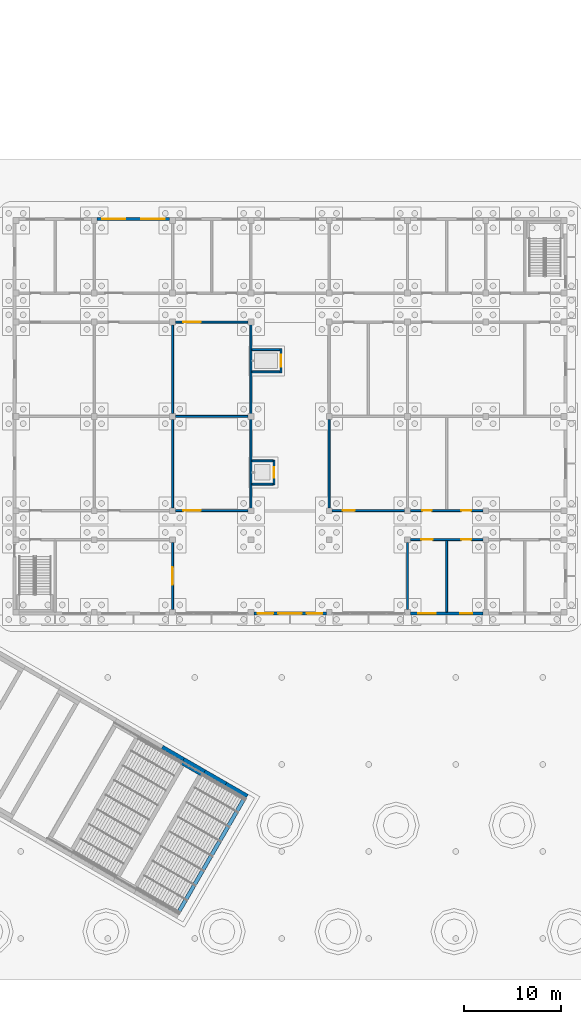
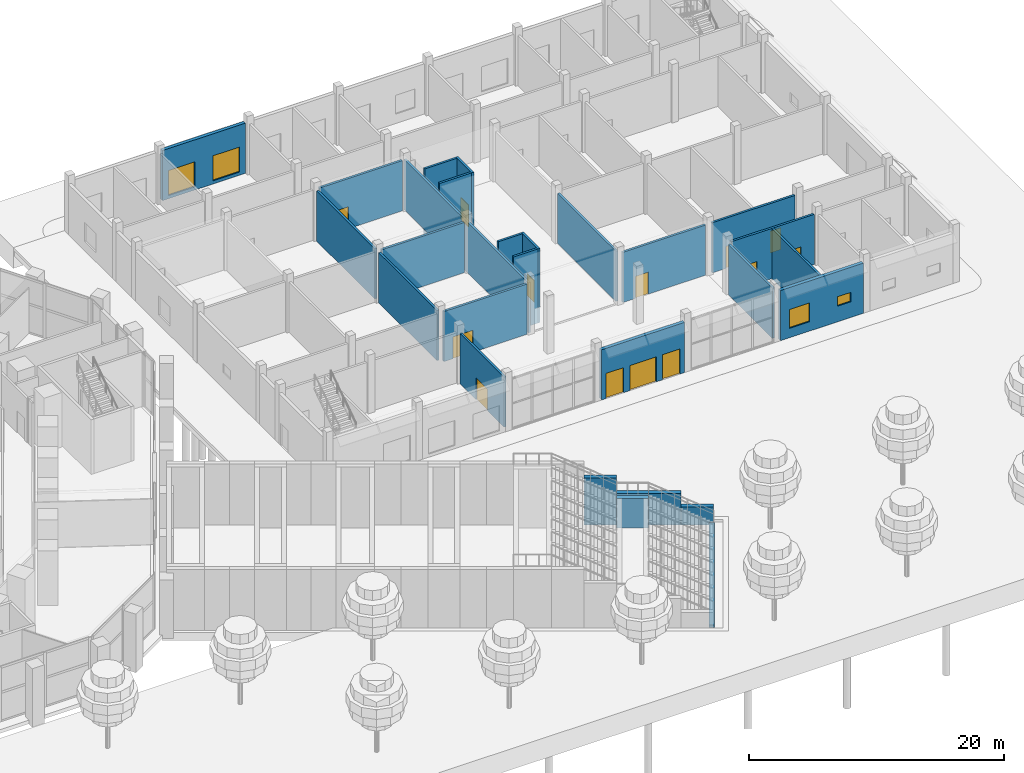
# One storey, part 26 of 44: 28 walls, 11 doors, 6 windows, 17 openings.
"""IFC4 building model written with IfcOpenShell, lengths in metres."""

from ifc_helpers import new_model, si_unit, direction, frame, frame_2d, origin, place, context, subcontext, project, spatial, rectangle, extrude, material, layer, layer_set, type_object, element, fill, save


model = new_model("IFC4")

# Units and contexts
model_context = context("Model", 3, precision=1e-05, world=origin(), true_north=direction((0.0, 1.0)))
body_context = subcontext(model_context, "Body", "Model", "MODEL_VIEW")
ifc_project = project(units=[si_unit("LENGTHUNIT", "METRE"), si_unit("AREAUNIT", "SQUARE_METRE"), si_unit("VOLUMEUNIT", "CUBIC_METRE"), si_unit("PLANEANGLEUNIT", "RADIAN"), si_unit("MASSUNIT", "GRAM", prefix="KILO")], contexts=[model_context])

# Site, building, storey
site_placement = place(None, origin())
site = spatial("IfcSite", under=ifc_project, at=site_placement, CompositionType="ELEMENT")
building_placement = place(site_placement, origin())
building = spatial("IfcBuilding", under=site, at=building_placement, Name="Frailejon Research Tower", CompositionType="ELEMENT")
storey_placement = place(building_placement, origin())
storey = spatial("IfcBuildingStorey", under=building, at=storey_placement, Name="L00", CompositionType="ELEMENT", Elevation=0.0)

# Wall, openings, door, windows
ifc_material_1 = material(Name="Insulated masonry cavity wall", Category="masonry")
ifc_layer_1 = layer(ifc_material_1, 0.300048828125)
ifc_layer_set_1 = layer_set([ifc_layer_1], Name="HC facade wall 300")
wall_type_1 = type_object("IfcWallType", Name="HC facade wall 300", PredefinedType="SOLIDWALL", material=ifc_layer_set_1)
wall_1_placement = place(storey_placement, frame((69.10009765625, -20.39990234375, 0.0), z_axis=(0.0, 0.0, 1.0), x_axis=(1.0, 0.0, 0.0)))
wall_1 = element("IfcWall", 1, at=wall_1_placement, inside=storey, type_object=wall_type_1, Name="HC facade wall", PredefinedType="SOLIDWALL", context=body_context, shape_type="SweptSolid", body=[
    extrude(rectangle(XDim=7.5, YDim=0.300048828125, at=frame_2d((3.75, 0.0))), origin(), (0.0, 0.0, 1.0), 4.800048828125),
])
opening_1_placement = place(wall_1_placement, frame((2.550048828125, 0.0, 0.0)))
opening_1 = element("IfcOpeningElement", 2, at=opening_1_placement, cuts=wall_1, Name="Opening HD036", PredefinedType="OPENING", context=body_context, shape_type="SweptSolid", body=[
    extrude(rectangle(XDim=2.39990234375, YDim=2.39990234375, at=frame_2d((1.199951171875, 1.199951171875))), frame((0.0, 0.159912109375, 0.0), z_axis=(0.0, -1.0, 0.0), x_axis=(1.0, 0.0, 0.0)), (0.0, 0.0, 1.0), 0.320068359375),
])
opening_2_placement = place(wall_1_placement, frame((0.39990234375, 0.0, 0.0)))
opening_2 = element("IfcOpeningElement", 3, at=opening_2_placement, cuts=wall_1, Name="Opening HW001", PredefinedType="OPENING", context=body_context, shape_type="SweptSolid", body=[
    extrude(rectangle(XDim=1.60009765625, YDim=2.39990234375, at=frame_2d((0.800048828125, 1.199951171875))), frame((0.0, 0.159912109375, 0.0), z_axis=(0.0, -1.0, 0.0), x_axis=(1.0, 0.0, 0.0)), (0.0, 0.0, 1.0), 0.320068359375),
])
opening_3_placement = place(wall_1_placement, frame((5.5, 0.0, 0.0)))
opening_3 = element("IfcOpeningElement", 4, at=opening_3_placement, cuts=wall_1, Name="Opening HW002", PredefinedType="OPENING", context=body_context, shape_type="SweptSolid", body=[
    extrude(rectangle(XDim=1.60009765625, YDim=2.39990234375, at=frame_2d((0.800048828125, 1.199951171875))), frame((0.0, 0.159912109375, 0.0), z_axis=(0.0, -1.0, 0.0), x_axis=(1.0, 0.0, 0.0)), (0.0, 0.0, 1.0), 0.320068359375),
])
ifc_material_2 = material(Name="Aluminium framed glazed door leaf", Category="aluminium")
door_type_1 = type_object("IfcDoorType", Name="HC entrance double door 2400", OperationType="DOUBLE_DOOR_SINGLE_SWING", PredefinedType="DOOR", material=ifc_material_2)
door_1_placement = place(opening_1_placement, origin())
door_1 = element("IfcDoor", 5, at=door_1_placement, inside=storey, type_object=door_type_1, Name="Door HD036", OperationType="DOUBLE_DOOR_SINGLE_SWING", OverallHeight=2.39990234375, OverallWidth=2.39990234375, PredefinedType="DOOR", context=body_context, shape_type="SweptSolid", body=[
    extrude(rectangle(XDim=2.39990234375, YDim=2.39990234375, at=frame_2d((1.199951171875, 1.199951171875))), frame((0.0, 0.02490234375, 0.0), z_axis=(0.0, -1.0, 0.0), x_axis=(1.0, 0.0, 0.0)), (0.0, 0.0, 1.0), 0.050048828125),
])
fill(opening_1, door_1)
ifc_material_3 = material(Name="Aluminium framed double glazing", Category="aluminium")
window_type_1 = type_object("IfcWindowType", Name="HC sidelight 1600x2400", PartitioningType="SINGLE_PANEL", PredefinedType="WINDOW", material=ifc_material_3)
window_1_placement = place(opening_2_placement, origin())
window_1 = element("IfcWindow", 6, at=window_1_placement, inside=storey, type_object=window_type_1, Name="Window HW001 (HCW4)", OverallHeight=2.39990234375, OverallWidth=1.60009765625, PartitioningType="SINGLE_PANEL", PredefinedType="WINDOW", context=body_context, shape_type="SweptSolid", body=[
    extrude(rectangle(XDim=1.60009765625, YDim=2.39990234375, at=frame_2d((0.800048828125, 1.199951171875))), frame((0.0, 0.030029296875, 0.0), z_axis=(0.0, -1.0, 0.0), x_axis=(1.0, 0.0, 0.0)), (0.0, 0.0, 1.0), 0.06005859375),
])
fill(opening_2, window_1)
window_2_placement = place(opening_3_placement, origin())
window_2 = element("IfcWindow", 7, at=window_2_placement, inside=storey, type_object=window_type_1, Name="Window HW002 (HCW4)", OverallHeight=2.39990234375, OverallWidth=1.60009765625, PartitioningType="SINGLE_PANEL", PredefinedType="WINDOW", context=body_context, shape_type="SweptSolid", body=[
    extrude(rectangle(XDim=1.60009765625, YDim=2.39990234375, at=frame_2d((0.800048828125, 1.199951171875))), frame((0.0, 0.030029296875, 0.0), z_axis=(0.0, -1.0, 0.0), x_axis=(1.0, 0.0, 0.0)), (0.0, 0.0, 1.0), 0.06005859375),
])
fill(opening_3, window_2)

# Wall, openings, windows
wall_2_placement = place(storey_placement, frame((85.300048828125, -20.39990234375, 0.0), z_axis=(0.0, 0.0, 1.0), x_axis=(1.0, 0.0, 0.0)))
wall_2 = element("IfcWall", 8, at=wall_2_placement, inside=storey, type_object=wall_type_1, Name="HC facade wall", PredefinedType="SOLIDWALL", context=body_context, shape_type="SweptSolid", body=[
    extrude(rectangle(XDim=7.5, YDim=0.300048828125, at=frame_2d((3.75, 0.0))), origin(), (0.0, 0.0, 1.0), 4.800048828125),
])
opening_4_placement = place(wall_2_placement, frame((0.824951171875, 0.0, 0.89990234375)))
opening_4 = element("IfcOpeningElement", 9, at=opening_4_placement, cuts=wall_2, Name="Opening HW006", PredefinedType="OPENING", context=body_context, shape_type="SweptSolid", body=[
    extrude(rectangle(XDim=1.800048828125, YDim=1.800048828125, at=frame_2d((0.89990234375, 0.89990234375))), frame((0.0, 0.159912109375, 0.0), z_axis=(0.0, -1.0, 0.0), x_axis=(1.0, 0.0, 0.0)), (0.0, 0.0, 1.0), 0.320068359375),
])
opening_5_placement = place(wall_2_placement, frame((5.175048828125, 0.0, 1.5)))
opening_5 = element("IfcOpeningElement", 10, at=opening_5_placement, cuts=wall_2, Name="Opening HW007", PredefinedType="OPENING", context=body_context, shape_type="SweptSolid", body=[
    extrude(rectangle(XDim=1.199951171875, YDim=0.89990234375, at=frame_2d((0.60009765625, 0.449951171875))), frame((0.0, 0.159912109375, 0.0), z_axis=(0.0, -1.0, 0.0), x_axis=(1.0, 0.0, 0.0)), (0.0, 0.0, 1.0), 0.320068359375),
])
ifc_material_4 = material(Name="Aluminium framed double glazing", Category="aluminium")
window_type_2 = type_object("IfcWindowType", Name="HC window 1200x900", PartitioningType="SINGLE_PANEL", PredefinedType="WINDOW", material=ifc_material_4)
window_3_placement = place(opening_5_placement, origin())
window_3 = element("IfcWindow", 11, at=window_3_placement, inside=storey, type_object=window_type_2, Name="Window HW007 (HCW2)", OverallHeight=0.89990234375, OverallWidth=1.199951171875, PartitioningType="SINGLE_PANEL", PredefinedType="WINDOW", context=body_context, shape_type="SweptSolid", body=[
    extrude(rectangle(XDim=1.199951171875, YDim=0.89990234375, at=frame_2d((0.60009765625, 0.449951171875))), frame((0.0, 0.030029296875, 0.0), z_axis=(0.0, -1.0, 0.0), x_axis=(1.0, 0.0, 0.0)), (0.0, 0.0, 1.0), 0.06005859375),
])
fill(opening_5, window_3)
ifc_material_5 = material(Name="Aluminium framed double glazing", Category="aluminium")
window_type_3 = type_object("IfcWindowType", Name="HC window 1800x1800", PartitioningType="SINGLE_PANEL", PredefinedType="WINDOW", material=ifc_material_5)
window_4_placement = place(opening_4_placement, origin())
window_4 = element("IfcWindow", 12, at=window_4_placement, inside=storey, type_object=window_type_3, Name="Window HW006 (HCW1)", OverallHeight=1.800048828125, OverallWidth=1.800048828125, PartitioningType="SINGLE_PANEL", PredefinedType="WINDOW", context=body_context, shape_type="SweptSolid", body=[
    extrude(rectangle(XDim=1.800048828125, YDim=1.800048828125, at=frame_2d((0.89990234375, 0.89990234375))), frame((0.0, 0.030029296875, 0.0), z_axis=(0.0, -1.0, 0.0), x_axis=(1.0, 0.0, 0.0)), (0.0, 0.0, 1.0), 0.06005859375),
])
fill(opening_4, window_4)

wall_3_placement = place(storey_placement, frame((52.89990234375, 20.39990234375, 0.0), z_axis=(0.0, 0.0, 1.0), x_axis=(1.0, 0.0, 0.0)))
wall_3 = element("IfcWall", 13, at=wall_3_placement, inside=storey, type_object=wall_type_1, Name="HC facade wall", PredefinedType="SOLIDWALL", context=body_context, shape_type="SweptSolid", body=[
    extrude(rectangle(XDim=7.5, YDim=0.300048828125, at=frame_2d((3.75, 0.0))), origin(), (0.0, 0.0, 1.0), 4.800048828125),
])
opening_6_placement = place(wall_3_placement, frame((0.52490234375, 0.0, 0.300048828125)))
opening_6 = element("IfcOpeningElement", 14, at=opening_6_placement, cuts=wall_3, Name="Opening HW017", PredefinedType="OPENING", context=body_context, shape_type="SweptSolid", body=[
    extrude(rectangle(XDim=2.39990234375, YDim=2.39990234375, at=frame_2d((1.199951171875, 1.199951171875))), frame((0.0, 0.159912109375, 0.0), z_axis=(0.0, -1.0, 0.0), x_axis=(1.0, 0.0, 0.0)), (0.0, 0.0, 1.0), 0.320068359375),
])
opening_7_placement = place(wall_3_placement, frame((4.574951171875, 0.0, 0.300048828125)))
opening_7 = element("IfcOpeningElement", 15, at=opening_7_placement, cuts=wall_3, Name="Opening HW018", PredefinedType="OPENING", context=body_context, shape_type="SweptSolid", body=[
    extrude(rectangle(XDim=2.39990234375, YDim=2.39990234375, at=frame_2d((1.199951171875, 1.199951171875))), frame((0.0, 0.159912109375, 0.0), z_axis=(0.0, -1.0, 0.0), x_axis=(1.0, 0.0, 0.0)), (0.0, 0.0, 1.0), 0.320068359375),
])
ifc_material_6 = material(Name="Aluminium framed double glazing", Category="aluminium")
window_type_4 = type_object("IfcWindowType", Name="HC window 2400x2400", PartitioningType="DOUBLE_PANEL_VERTICAL", PredefinedType="WINDOW", material=ifc_material_6)
window_5_placement = place(opening_6_placement, origin())
window_5 = element("IfcWindow", 16, at=window_5_placement, inside=storey, type_object=window_type_4, Name="Window HW017 (HCW3)", OverallHeight=2.39990234375, OverallWidth=2.39990234375, PartitioningType="DOUBLE_PANEL_VERTICAL", PredefinedType="WINDOW", context=body_context, shape_type="SweptSolid", body=[
    extrude(rectangle(XDim=2.39990234375, YDim=2.39990234375, at=frame_2d((1.199951171875, 1.199951171875))), frame((0.0, 0.030029296875, 0.0), z_axis=(0.0, -1.0, 0.0), x_axis=(1.0, 0.0, 0.0)), (0.0, 0.0, 1.0), 0.06005859375),
])
fill(opening_6, window_5)
window_6_placement = place(opening_7_placement, origin())
window_6 = element("IfcWindow", 17, at=window_6_placement, inside=storey, type_object=window_type_4, Name="Window HW018 (HCW3)", OverallHeight=2.39990234375, OverallWidth=2.39990234375, PartitioningType="DOUBLE_PANEL_VERTICAL", PredefinedType="WINDOW", context=body_context, shape_type="SweptSolid", body=[
    extrude(rectangle(XDim=2.39990234375, YDim=2.39990234375, at=frame_2d((1.199951171875, 1.199951171875))), frame((0.0, 0.030029296875, 0.0), z_axis=(0.0, -1.0, 0.0), x_axis=(1.0, 0.0, 0.0)), (0.0, 0.0, 1.0), 0.06005859375),
])
fill(opening_7, window_6)

# Walls
ifc_material_7 = material(Name="Concrete C35/45", Category="concrete")
ifc_layer_2 = layer(ifc_material_7, 0.199951171875)
ifc_layer_set_2 = layer_set([ifc_layer_2], Name="HC fire wall 200")
wall_type_2 = type_object("IfcWallType", Name="HC fire wall 200", PredefinedType="SOLIDWALL", material=ifc_layer_set_2)
for number, where, z_axis, x_axis, name in (
    (18, (68.89990234375, -7.0, -1.5), (0.0, 0.0, 1.0), (1.0, 0.0, 0.0), "HC lift shaft wall"),
    (19, (68.89990234375, -4.60009765625, -1.5), (0.0, 0.0, 1.0), (1.0, 0.0, 0.0), "HC lift shaft wall"),
):
    element("IfcWall", number, at=place(storey_placement, frame(where, z_axis=z_axis, x_axis=x_axis)), inside=storey, type_object=wall_type_2, Name=name, PredefinedType="SOLIDWALL", context=body_context, shape_type="SweptSolid", body=[
        extrude(rectangle(XDim=2.2001953125, YDim=0.199951171875, at=frame_2d((1.10009765625, 0.0))), origin(), (0.0, 0.0, 1.0), 7.10009765625),
    ])

# Wall, opening, door
wall_4_placement = place(storey_placement, frame((71.199951171875, -7.10009765625, -1.5), z_axis=(0.0, 0.0, 1.0), x_axis=(0.0, 1.0, 0.0)))
wall_4 = element("IfcWall", 20, at=wall_4_placement, inside=storey, type_object=wall_type_2, Name="HC lift shaft wall", PredefinedType="SOLIDWALL", context=body_context, shape_type="SweptSolid", body=[
    extrude(rectangle(XDim=2.60009765625, YDim=0.199951171875, at=frame_2d((1.300048828125, 0.0))), origin(), (0.0, 0.0, 1.0), 7.10009765625),
])
opening_8_placement = place(wall_4_placement, frame((0.75, 0.0, 1.5)))
opening_8 = element("IfcOpeningElement", 21, at=opening_8_placement, cuts=wall_4, Name="Opening HLD0P", PredefinedType="OPENING", context=body_context, shape_type="SweptSolid", body=[
    extrude(rectangle(XDim=1.10009765625, YDim=2.10009765625, at=frame_2d((0.550048828125, 1.050048828125))), frame((0.0, 0.10986328125, 0.0), z_axis=(0.0, -1.0, 0.0), x_axis=(1.0, 0.0, 0.0)), (0.0, 0.0, 1.0), 0.219970703125),
])
ifc_material_8 = material(Name="Stainless steel sliding leaf", Category="steel")
door_type_2 = type_object("IfcDoorType", Name="HC lift landing door 1100", OperationType="SLIDING_TO_LEFT", PredefinedType="DOOR", material=ifc_material_8)
door_2_placement = place(opening_8_placement, origin())
door_2 = element("IfcDoor", 22, at=door_2_placement, inside=storey, type_object=door_type_2, Name="Lift landing door HLD0P", OperationType="SLIDING_TO_LEFT", OverallHeight=2.10009765625, OverallWidth=1.10009765625, PredefinedType="DOOR", context=body_context, shape_type="SweptSolid", body=[
    extrude(rectangle(XDim=1.10009765625, YDim=2.10009765625, at=frame_2d((0.550048828125, 1.050048828125))), frame((0.0, 0.02490234375, 0.0), z_axis=(0.0, -1.0, 0.0), x_axis=(1.0, 0.0, 0.0)), (0.0, 0.0, 1.0), 0.050048828125),
])
fill(opening_8, door_2)

# Walls
for number, where, z_axis, x_axis, name in (
    (23, (68.89990234375, 4.60009765625, -1.5), (0.0, 0.0, 1.0), (1.0, 0.0, 0.0), "HC lift shaft wall"),
    (24, (68.89990234375, 6.89990234375, -1.5), (0.0, 0.0, 1.0), (1.0, 0.0, 0.0), "HC lift shaft wall"),
):
    element("IfcWall", number, at=place(storey_placement, frame(where, z_axis=z_axis, x_axis=x_axis)), inside=storey, type_object=wall_type_2, Name=name, PredefinedType="SOLIDWALL", context=body_context, shape_type="SweptSolid", body=[
        extrude(rectangle(XDim=2.900146484375, YDim=0.199951171875, at=frame_2d((1.4501953125, 0.0))), origin(), (0.0, 0.0, 1.0), 7.10009765625),
    ])

# Wall, opening, door
wall_5_placement = place(storey_placement, frame((71.89990234375, 4.5, -1.5), z_axis=(0.0, 0.0, 1.0), x_axis=(0.0, 1.0, 0.0)))
wall_5 = element("IfcWall", 25, at=wall_5_placement, inside=storey, type_object=wall_type_2, Name="HC lift shaft wall", PredefinedType="SOLIDWALL", context=body_context, shape_type="SweptSolid", body=[
    extrude(rectangle(XDim=2.5, YDim=0.199951171875, at=frame_2d((1.25, 0.0))), origin(), (0.0, 0.0, 1.0), 7.10009765625),
])
opening_9_placement = place(wall_5_placement, frame((0.64990234375, 0.0, 1.5)))
opening_9 = element("IfcOpeningElement", 26, at=opening_9_placement, cuts=wall_5, Name="Opening HLD0B", PredefinedType="OPENING", context=body_context, shape_type="SweptSolid", body=[
    extrude(rectangle(XDim=1.199951171875, YDim=2.10009765625, at=frame_2d((0.60009765625, 1.050048828125))), frame((0.0, 0.10986328125, 0.0), z_axis=(0.0, -1.0, 0.0), x_axis=(1.0, 0.0, 0.0)), (0.0, 0.0, 1.0), 0.219970703125),
])
ifc_material_9 = material(Name="Stainless steel sliding leaf", Category="steel")
door_type_3 = type_object("IfcDoorType", Name="HC lift landing door 1200", OperationType="SLIDING_TO_LEFT", PredefinedType="DOOR", material=ifc_material_9)
door_3_placement = place(opening_9_placement, origin())
door_3 = element("IfcDoor", 27, at=door_3_placement, inside=storey, type_object=door_type_3, Name="Lift landing door HLD0B", OperationType="SLIDING_TO_LEFT", OverallHeight=2.10009765625, OverallWidth=1.199951171875, PredefinedType="DOOR", context=body_context, shape_type="SweptSolid", body=[
    extrude(rectangle(XDim=1.199951171875, YDim=2.10009765625, at=frame_2d((0.60009765625, 1.050048828125))), frame((0.0, 0.02490234375, 0.0), z_axis=(0.0, -1.0, 0.0), x_axis=(1.0, 0.0, 0.0)), (0.0, 0.0, 1.0), 0.050048828125),
])
fill(opening_9, door_3)

# Wall, openings, doors
ifc_material_10 = material(Name="Masonry blockwork partition", Category="masonry")
ifc_layer_3 = layer(ifc_material_10, 0.199951171875)
ifc_layer_set_3 = layer_set([ifc_layer_3], Name="HC partition 200")
wall_type_3 = type_object("IfcWallType", Name="HC partition 200", PredefinedType="PARTITIONING", material=ifc_layer_set_3)
wall_6_placement = place(storey_placement, frame((85.300048828125, -12.75, 0.0), z_axis=(0.0, 0.0, 1.0), x_axis=(1.0, 0.0, 0.0)))
wall_6 = element("IfcWall", 28, at=wall_6_placement, inside=storey, type_object=wall_type_3, Name="HC partition", PredefinedType="PARTITIONING", context=body_context, shape_type="SweptSolid", body=[
    extrude(rectangle(XDim=7.5, YDim=0.199951171875, at=frame_2d((3.75, 0.0))), origin(), (0.0, 0.0, 1.0), 4.800048828125),
])
opening_10_placement = place(wall_6_placement, frame((1.125, 0.0, 0.0)))
opening_10 = element("IfcOpeningElement", 29, at=opening_10_placement, cuts=wall_6, Name="Opening HD005", PredefinedType="OPENING", context=body_context, shape_type="SweptSolid", body=[
    extrude(rectangle(XDim=1.199951171875, YDim=2.10009765625, at=frame_2d((0.60009765625, 1.050048828125))), frame((0.0, 0.10986328125, 0.0), z_axis=(0.0, -1.0, 0.0), x_axis=(1.0, 0.0, 0.0)), (0.0, 0.0, 1.0), 0.219970703125),
])
opening_11_placement = place(wall_6_placement, frame((5.27490234375, 0.0, 0.0)))
opening_11 = element("IfcOpeningElement", 30, at=opening_11_placement, cuts=wall_6, Name="Opening HD006", PredefinedType="OPENING", context=body_context, shape_type="SweptSolid", body=[
    extrude(rectangle(XDim=1.0, YDim=2.10009765625, at=frame_2d((0.5, 1.050048828125))), frame((0.0, 0.10986328125, 0.0), z_axis=(0.0, -1.0, 0.0), x_axis=(1.0, 0.0, 0.0)), (0.0, 0.0, 1.0), 0.219970703125),
])
ifc_material_11 = material(Name="Timber veneered fire door leaf", Category="wood")
door_type_4 = type_object("IfcDoorType", Name="HC door 1000 left", OperationType="SINGLE_SWING_LEFT", PredefinedType="DOOR", material=ifc_material_11)
door_4_placement = place(opening_11_placement, origin())
door_4 = element("IfcDoor", 31, at=door_4_placement, inside=storey, type_object=door_type_4, Name="Door HD006", OperationType="SINGLE_SWING_LEFT", OverallHeight=2.10009765625, OverallWidth=1.0, PredefinedType="DOOR", context=body_context, shape_type="SweptSolid", body=[
    extrude(rectangle(XDim=1.0, YDim=2.10009765625, at=frame_2d((0.5, 1.050048828125))), frame((0.0, 0.02490234375, 0.0), z_axis=(0.0, -1.0, 0.0), x_axis=(1.0, 0.0, 0.0)), (0.0, 0.0, 1.0), 0.050048828125),
])
fill(opening_11, door_4)
ifc_material_12 = material(Name="Timber veneered fire door leaf", Category="wood")
door_type_5 = type_object("IfcDoorType", Name="HC door 1200 right", OperationType="SINGLE_SWING_RIGHT", PredefinedType="DOOR", material=ifc_material_12)
door_5_placement = place(opening_10_placement, origin())
door_5 = element("IfcDoor", 32, at=door_5_placement, inside=storey, type_object=door_type_5, Name="Door HD005", OperationType="SINGLE_SWING_RIGHT", OverallHeight=2.10009765625, OverallWidth=1.199951171875, PredefinedType="DOOR", context=body_context, shape_type="SweptSolid", body=[
    extrude(rectangle(XDim=1.199951171875, YDim=2.10009765625, at=frame_2d((0.60009765625, 1.050048828125))), frame((0.0, 0.02490234375, 0.0), z_axis=(0.0, -1.0, 0.0), x_axis=(1.0, 0.0, 0.0)), (0.0, 0.0, 1.0), 0.050048828125),
])
fill(opening_10, door_5)

# Wall, opening, door
wall_7_placement = place(storey_placement, frame((60.699951171875, -19.949951171875, 0.0), z_axis=(0.0, 0.0, 1.0), x_axis=(0.0, 1.0, 0.0)))
wall_7 = element("IfcWall", 33, at=wall_7_placement, inside=storey, type_object=wall_type_3, Name="HC partition", PredefinedType="PARTITIONING", context=body_context, shape_type="SweptSolid", body=[
    extrude(rectangle(XDim=6.89990234375, YDim=0.199951171875, at=frame_2d((3.449951171875, 0.0))), origin(), (0.0, 0.0, 1.0), 4.800048828125),
])
opening_12_placement = place(wall_7_placement, frame((2.550048828125, 0.0, 0.0)))
opening_12 = element("IfcOpeningElement", 34, at=opening_12_placement, cuts=wall_7, Name="Opening HD004", PredefinedType="OPENING", context=body_context, shape_type="SweptSolid", body=[
    extrude(rectangle(XDim=1.800048828125, YDim=2.10009765625, at=frame_2d((0.89990234375, 1.050048828125))), frame((0.0, 0.10986328125, 0.0), z_axis=(0.0, -1.0, 0.0), x_axis=(1.0, 0.0, 0.0)), (0.0, 0.0, 1.0), 0.219970703125),
])
ifc_material_13 = material(Name="Timber veneered fire door leaf", Category="wood")
door_type_6 = type_object("IfcDoorType", Name="HC double door 1800", OperationType="DOUBLE_DOOR_SINGLE_SWING", PredefinedType="DOOR", material=ifc_material_13)
door_6_placement = place(opening_12_placement, origin())
door_6 = element("IfcDoor", 35, at=door_6_placement, inside=storey, type_object=door_type_6, Name="Door HD004", OperationType="DOUBLE_DOOR_SINGLE_SWING", OverallHeight=2.10009765625, OverallWidth=1.800048828125, PredefinedType="DOOR", context=body_context, shape_type="SweptSolid", body=[
    extrude(rectangle(XDim=1.800048828125, YDim=2.10009765625, at=frame_2d((0.89990234375, 1.050048828125))), frame((0.0, 0.02490234375, 0.0), z_axis=(0.0, -1.0, 0.0), x_axis=(1.0, 0.0, 0.0)), (0.0, 0.0, 1.0), 0.050048828125),
])
fill(opening_12, door_6)

# Walls
for number, where, z_axis, x_axis, name in (
    (36, (60.699951171875, -9.449951171875, 0.0), (0.0, 0.0, 1.0), (0.0, 1.0, 0.0), "HC partition"),
    (37, (60.699951171875, 0.300048828125, 0.0), (0.0, 0.0, 1.0), (0.0, 1.0, 0.0), "HC partition"),
):
    element("IfcWall", number, at=place(storey_placement, frame(where, z_axis=z_axis, x_axis=x_axis)), inside=storey, type_object=wall_type_3, Name=name, PredefinedType="PARTITIONING", context=body_context, shape_type="SweptSolid", body=[
        extrude(rectangle(XDim=9.14990234375, YDim=0.199951171875, at=frame_2d((4.574951171875, 0.0))), origin(), (0.0, 0.0, 1.0), 4.800048828125),
    ])

# Wall, opening, door
wall_8_placement = place(storey_placement, frame((61.0, -9.75, 0.0), z_axis=(0.0, 0.0, 1.0), x_axis=(1.0, 0.0, 0.0)))
wall_8 = element("IfcWall", 38, at=wall_8_placement, inside=storey, type_object=wall_type_3, Name="HC partition", PredefinedType="PARTITIONING", context=body_context, shape_type="SweptSolid", body=[
    extrude(rectangle(XDim=7.5, YDim=0.199951171875, at=frame_2d((3.75, 0.0))), origin(), (0.0, 0.0, 1.0), 4.800048828125),
])
opening_13_placement = place(wall_8_placement, frame((0.824951171875, 0.0, 0.0)))
opening_13 = element("IfcOpeningElement", 39, at=opening_13_placement, cuts=wall_8, Name="Opening HD011", PredefinedType="OPENING", context=body_context, shape_type="SweptSolid", body=[
    extrude(rectangle(XDim=1.800048828125, YDim=2.10009765625, at=frame_2d((0.89990234375, 1.050048828125))), frame((0.0, 0.10986328125, 0.0), z_axis=(0.0, -1.0, 0.0), x_axis=(1.0, 0.0, 0.0)), (0.0, 0.0, 1.0), 0.219970703125),
])
door_7_placement = place(opening_13_placement, origin())
door_7 = element("IfcDoor", 40, at=door_7_placement, inside=storey, type_object=door_type_6, Name="Door HD011", OperationType="DOUBLE_DOOR_SINGLE_SWING", OverallHeight=2.10009765625, OverallWidth=1.800048828125, PredefinedType="DOOR", context=body_context, shape_type="SweptSolid", body=[
    extrude(rectangle(XDim=1.800048828125, YDim=2.10009765625, at=frame_2d((0.89990234375, 1.050048828125))), frame((0.0, 0.02490234375, 0.0), z_axis=(0.0, -1.0, 0.0), x_axis=(1.0, 0.0, 0.0)), (0.0, 0.0, 1.0), 0.050048828125),
])
fill(opening_13, door_7)

wall_9_placement = place(storey_placement, frame((77.199951171875, -9.75, 0.0), z_axis=(0.0, 0.0, 1.0), x_axis=(1.0, 0.0, 0.0)))
wall_9 = element("IfcWall", 41, at=wall_9_placement, inside=storey, type_object=wall_type_3, Name="HC partition", PredefinedType="PARTITIONING", context=body_context, shape_type="SweptSolid", body=[
    extrude(rectangle(XDim=7.5, YDim=0.199951171875, at=frame_2d((3.75, 0.0))), origin(), (0.0, 0.0, 1.0), 4.800048828125),
])
opening_14_placement = place(wall_9_placement, frame((1.125, 0.0, 0.0)))
opening_14 = element("IfcOpeningElement", 42, at=opening_14_placement, cuts=wall_9, Name="Opening HD012", PredefinedType="OPENING", context=body_context, shape_type="SweptSolid", body=[
    extrude(rectangle(XDim=1.199951171875, YDim=2.10009765625, at=frame_2d((0.60009765625, 1.050048828125))), frame((0.0, 0.10986328125, 0.0), z_axis=(0.0, -1.0, 0.0), x_axis=(1.0, 0.0, 0.0)), (0.0, 0.0, 1.0), 0.219970703125),
])
ifc_material_14 = material(Name="Timber veneered fire door leaf", Category="wood")
door_type_7 = type_object("IfcDoorType", Name="HC door 1200 left", OperationType="SINGLE_SWING_LEFT", PredefinedType="DOOR", material=ifc_material_14)
door_8_placement = place(opening_14_placement, origin())
door_8 = element("IfcDoor", 43, at=door_8_placement, inside=storey, type_object=door_type_7, Name="Door HD012", OperationType="SINGLE_SWING_LEFT", OverallHeight=2.10009765625, OverallWidth=1.199951171875, PredefinedType="DOOR", context=body_context, shape_type="SweptSolid", body=[
    extrude(rectangle(XDim=1.199951171875, YDim=2.10009765625, at=frame_2d((0.60009765625, 1.050048828125))), frame((0.0, 0.02490234375, 0.0), z_axis=(0.0, -1.0, 0.0), x_axis=(1.0, 0.0, 0.0)), (0.0, 0.0, 1.0), 0.050048828125),
])
fill(opening_14, door_8)

# Wall, openings, doors
wall_10_placement = place(storey_placement, frame((85.300048828125, -9.75, 0.0), z_axis=(0.0, 0.0, 1.0), x_axis=(1.0, 0.0, 0.0)))
wall_10 = element("IfcWall", 44, at=wall_10_placement, inside=storey, type_object=wall_type_3, Name="HC partition", PredefinedType="PARTITIONING", context=body_context, shape_type="SweptSolid", body=[
    extrude(rectangle(XDim=7.5, YDim=0.199951171875, at=frame_2d((3.75, 0.0))), origin(), (0.0, 0.0, 1.0), 4.800048828125),
])
opening_15_placement = place(wall_10_placement, frame((1.22509765625, 0.0, 0.0)))
opening_15 = element("IfcOpeningElement", 45, at=opening_15_placement, cuts=wall_10, Name="Opening HD013", PredefinedType="OPENING", context=body_context, shape_type="SweptSolid", body=[
    extrude(rectangle(XDim=1.0, YDim=2.10009765625, at=frame_2d((0.5, 1.050048828125))), frame((0.0, 0.10986328125, 0.0), z_axis=(0.0, -1.0, 0.0), x_axis=(1.0, 0.0, 0.0)), (0.0, 0.0, 1.0), 0.219970703125),
])
opening_16_placement = place(wall_10_placement, frame((5.27490234375, 0.0, 0.0)))
opening_16 = element("IfcOpeningElement", 46, at=opening_16_placement, cuts=wall_10, Name="Opening HD014", PredefinedType="OPENING", context=body_context, shape_type="SweptSolid", body=[
    extrude(rectangle(XDim=1.0, YDim=2.10009765625, at=frame_2d((0.5, 1.050048828125))), frame((0.0, 0.10986328125, 0.0), z_axis=(0.0, -1.0, 0.0), x_axis=(1.0, 0.0, 0.0)), (0.0, 0.0, 1.0), 0.219970703125),
])
door_9_placement = place(opening_16_placement, origin())
door_9 = element("IfcDoor", 47, at=door_9_placement, inside=storey, type_object=door_type_4, Name="Door HD014", OperationType="SINGLE_SWING_LEFT", OverallHeight=2.10009765625, OverallWidth=1.0, PredefinedType="DOOR", context=body_context, shape_type="SweptSolid", body=[
    extrude(rectangle(XDim=1.0, YDim=2.10009765625, at=frame_2d((0.5, 1.050048828125))), frame((0.0, 0.02490234375, 0.0), z_axis=(0.0, -1.0, 0.0), x_axis=(1.0, 0.0, 0.0)), (0.0, 0.0, 1.0), 0.050048828125),
])
fill(opening_16, door_9)
ifc_material_15 = material(Name="Timber veneered fire door leaf", Category="wood")
door_type_8 = type_object("IfcDoorType", Name="HC door 1000 right", OperationType="SINGLE_SWING_RIGHT", PredefinedType="DOOR", material=ifc_material_15)
door_10_placement = place(opening_15_placement, origin())
door_10 = element("IfcDoor", 48, at=door_10_placement, inside=storey, type_object=door_type_8, Name="Door HD013", OperationType="SINGLE_SWING_RIGHT", OverallHeight=2.10009765625, OverallWidth=1.0, PredefinedType="DOOR", context=body_context, shape_type="SweptSolid", body=[
    extrude(rectangle(XDim=1.0, YDim=2.10009765625, at=frame_2d((0.5, 1.050048828125))), frame((0.0, 0.02490234375, 0.0), z_axis=(0.0, -1.0, 0.0), x_axis=(1.0, 0.0, 0.0)), (0.0, 0.0, 1.0), 0.050048828125),
])
fill(opening_15, door_10)

# Walls
wall_11_placement = place(storey_placement, frame((85.0, -19.949951171875, 0.0), z_axis=(0.0, 0.0, 1.0), x_axis=(0.0, 1.0, 0.0)))
element("IfcWall", 49, at=wall_11_placement, inside=storey, type_object=wall_type_3, Name="HC partition", PredefinedType="PARTITIONING", context=body_context, shape_type="SweptSolid", body=[
    extrude(rectangle(XDim=6.89990234375, YDim=0.199951171875, at=frame_2d((3.449951171875, 0.0))), origin(), (0.0, 0.0, 1.0), 4.800048828125),
])
wall_12_placement = place(storey_placement, frame((89.050048828125, -20.25, 0.0), z_axis=(0.0, 0.0, 1.0), x_axis=(0.0, 1.0, 0.0)))
element("IfcWall", 50, at=wall_12_placement, inside=storey, type_object=wall_type_3, Name="HC partition", PredefinedType="PARTITIONING", context=body_context, shape_type="SweptSolid", body=[
    extrude(rectangle(XDim=7.39990234375, YDim=0.199951171875, at=frame_2d((3.699951171875, 0.0))), origin(), (0.0, 0.0, 1.0), 4.800048828125),
])
wall_13_placement = place(storey_placement, frame((61.0, 0.0, 0.0), z_axis=(0.0, 0.0, 1.0), x_axis=(1.0, 0.0, 0.0)))
element("IfcWall", 51, at=wall_13_placement, inside=storey, type_object=wall_type_3, Name="HC partition", PredefinedType="PARTITIONING", context=body_context, shape_type="SweptSolid", body=[
    extrude(rectangle(XDim=7.5, YDim=0.199951171875, at=frame_2d((3.75, 0.0))), origin(), (0.0, 0.0, 1.0), 4.800048828125),
])
wall_14_placement = place(storey_placement, frame((68.800048828125, -9.75, 0.0), z_axis=(0.0, 0.0, 1.0), x_axis=(0.0, 1.0, 0.0)))
element("IfcWall", 52, at=wall_14_placement, inside=storey, type_object=wall_type_3, Name="HC partition", PredefinedType="PARTITIONING", context=body_context, shape_type="SweptSolid", body=[
    extrude(rectangle(XDim=19.5, YDim=0.199951171875, at=frame_2d((9.75, 0.0))), origin(), (0.0, 0.0, 1.0), 4.800048828125),
])
wall_15_placement = place(storey_placement, frame((76.89990234375, -9.449951171875, 0.0), z_axis=(0.0, 0.0, 1.0), x_axis=(0.0, 1.0, 0.0)))
element("IfcWall", 53, at=wall_15_placement, inside=storey, type_object=wall_type_3, Name="HC partition", PredefinedType="PARTITIONING", context=body_context, shape_type="SweptSolid", body=[
    extrude(rectangle(XDim=9.14990234375, YDim=0.199951171875, at=frame_2d((4.574951171875, 0.0))), origin(), (0.0, 0.0, 1.0), 4.800048828125),
])

# Wall, opening, door
wall_16_placement = place(storey_placement, frame((61.0, 9.75, 0.0), z_axis=(0.0, 0.0, 1.0), x_axis=(1.0, 0.0, 0.0)))
wall_16 = element("IfcWall", 54, at=wall_16_placement, inside=storey, type_object=wall_type_3, Name="HC partition", PredefinedType="PARTITIONING", context=body_context, shape_type="SweptSolid", body=[
    extrude(rectangle(XDim=7.5, YDim=0.199951171875, at=frame_2d((3.75, 0.0))), origin(), (0.0, 0.0, 1.0), 4.800048828125),
])
opening_17_placement = place(wall_16_placement, frame((0.824951171875, 0.0, 0.0)))
opening_17 = element("IfcOpeningElement", 55, at=opening_17_placement, cuts=wall_16, Name="Opening HD017", PredefinedType="OPENING", context=body_context, shape_type="SweptSolid", body=[
    extrude(rectangle(XDim=1.800048828125, YDim=2.10009765625, at=frame_2d((0.89990234375, 1.050048828125))), frame((0.0, 0.10986328125, 0.0), z_axis=(0.0, -1.0, 0.0), x_axis=(1.0, 0.0, 0.0)), (0.0, 0.0, 1.0), 0.219970703125),
])
door_11_placement = place(opening_17_placement, origin())
door_11 = element("IfcDoor", 56, at=door_11_placement, inside=storey, type_object=door_type_6, Name="Door HD017", OperationType="DOUBLE_DOOR_SINGLE_SWING", OverallHeight=2.10009765625, OverallWidth=1.800048828125, PredefinedType="DOOR", context=body_context, shape_type="SweptSolid", body=[
    extrude(rectangle(XDim=1.800048828125, YDim=2.10009765625, at=frame_2d((0.89990234375, 1.050048828125))), frame((0.0, 0.02490234375, 0.0), z_axis=(0.0, -1.0, 0.0), x_axis=(1.0, 0.0, 0.0)), (0.0, 0.0, 1.0), 0.050048828125),
])
fill(opening_17, door_11)

# Walls
ifc_material_16 = material(Name="Concrete C35/45", Category="concrete")
ifc_layer_4 = layer(ifc_material_16, 0.39990234375)
ifc_layer_set_4 = layer_set([ifc_layer_4], Name="Stair foot wall 400")
wall_type_4 = type_object("IfcWallType", Name="Stair foot wall 400", PredefinedType="SOLIDWALL", material=ifc_layer_set_4)
wall_17_placement = place(storey_placement, frame((61.199462890625, -51.49951171875, -0.25), z_axis=(0.0, 0.0, 1.0), x_axis=(0.499995173006, 0.866028190633, 0.0)))
element("IfcWall", 57, at=wall_17_placement, inside=storey, type_object=wall_type_4, Name="Broad stair E foot wall", PredefinedType="SOLIDWALL", context=body_context, shape_type="SweptSolid", body=[
    extrude(rectangle(XDim=14.000244140625, YDim=0.39990234375, at=frame_2d((7.0, 0.0))), origin(), (0.0, 0.0, 1.0), 0.25),
])
ifc_material_17 = material(Name="Concrete C35/45", Category="concrete")
ifc_layer_5 = layer(ifc_material_17, 0.39990234375)
ifc_layer_set_5 = layer_set([ifc_layer_5], Name="Stair plinth wall 400")
wall_type_5 = type_object("IfcWallType", Name="Stair plinth wall 400", PredefinedType="SOLIDWALL", material=ifc_layer_set_5)
wall_18_placement = place(storey_placement, frame((61.647705078125, -35.8232421875, -0.25), z_axis=(0.0, 0.0, 1.0), x_axis=(0.866022959057, -0.500004234368, 0.0)))
element("IfcWall", 58, at=wall_18_placement, inside=storey, type_object=wall_type_5, Name="Broad stair E plinth", PredefinedType="SOLIDWALL", context=body_context, shape_type="SweptSolid", body=[
    extrude(rectangle(XDim=2.5, YDim=0.39990234375, at=frame_2d((1.25, 0.0))), origin(), (0.0, 0.0, 1.0), 2.85009765625),
])
wall_19_placement = place(storey_placement, frame((59.63916015625, -34.201904296875, -0.25), z_axis=(0.0, 0.0, 1.0), x_axis=(0.866054858364, -0.499948979701, 0.0)))
element("IfcWall", 59, at=wall_19_placement, inside=storey, type_object=wall_type_5, Name="Broad stair E cheek wall", PredefinedType="SOLIDWALL", context=body_context, shape_type="SweptSolid", body=[
    extrude(rectangle(XDim=2.550048828125, YDim=0.39990234375, at=frame_2d((1.27490234375, 0.0))), origin(), (0.0, 0.0, 1.0), 4.52783203125),
])
wall_20_placement = place(storey_placement, frame((61.84765625, -35.476806640625, -0.25), z_axis=(0.0, 0.0, 1.0), x_axis=(0.866022959057, -0.500004234368, 0.0)))
element("IfcWall", 60, at=wall_20_placement, inside=storey, type_object=wall_type_5, Name="Broad stair E cheek wall", PredefinedType="SOLIDWALL", context=body_context, shape_type="SweptSolid", body=[
    extrude(rectangle(XDim=2.5, YDim=0.39990234375, at=frame_2d((1.25, 0.0))), origin(), (0.0, 0.0, 1.0), 3.050048828125),
])
wall_21_placement = place(storey_placement, frame((64.0126953125, -36.726806640625, -0.25), z_axis=(0.0, 0.0, 1.0), x_axis=(0.866030925526, -0.499990435942, 0.0)))
element("IfcWall", 61, at=wall_21_placement, inside=storey, type_object=wall_type_5, Name="Broad stair E cheek wall", PredefinedType="SOLIDWALL", context=body_context, shape_type="SweptSolid", body=[
    extrude(rectangle(XDim=2.5498046875, YDim=0.39990234375, at=frame_2d((1.27490234375, 0.0))), origin(), (0.0, 0.0, 1.0), 3.050048828125),
])
wall_22_placement = place(storey_placement, frame((66.220947265625, -38.001708984375, -0.25), z_axis=(0.0, 0.0, 1.0), x_axis=(0.866013403995, -0.500020783669, 0.0)))
element("IfcWall", 62, at=wall_22_placement, inside=storey, type_object=wall_type_5, Name="Broad stair E cheek wall", PredefinedType="SOLIDWALL", context=body_context, shape_type="SweptSolid", body=[
    extrude(rectangle(XDim=2.55029296875, YDim=0.39990234375, at=frame_2d((1.275146484375, 0.0))), origin(), (0.0, 0.0, 1.0), 1.727783203125),
])

save(model, "model.ifc")
